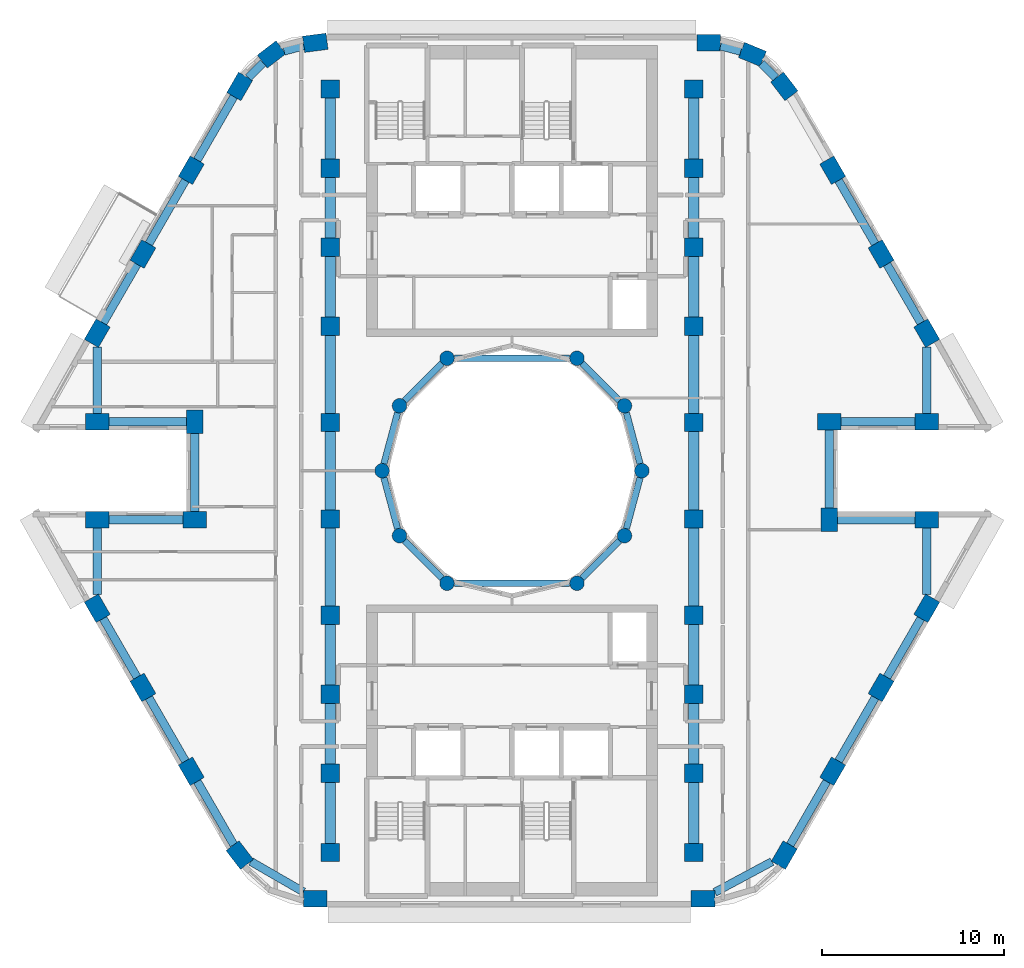
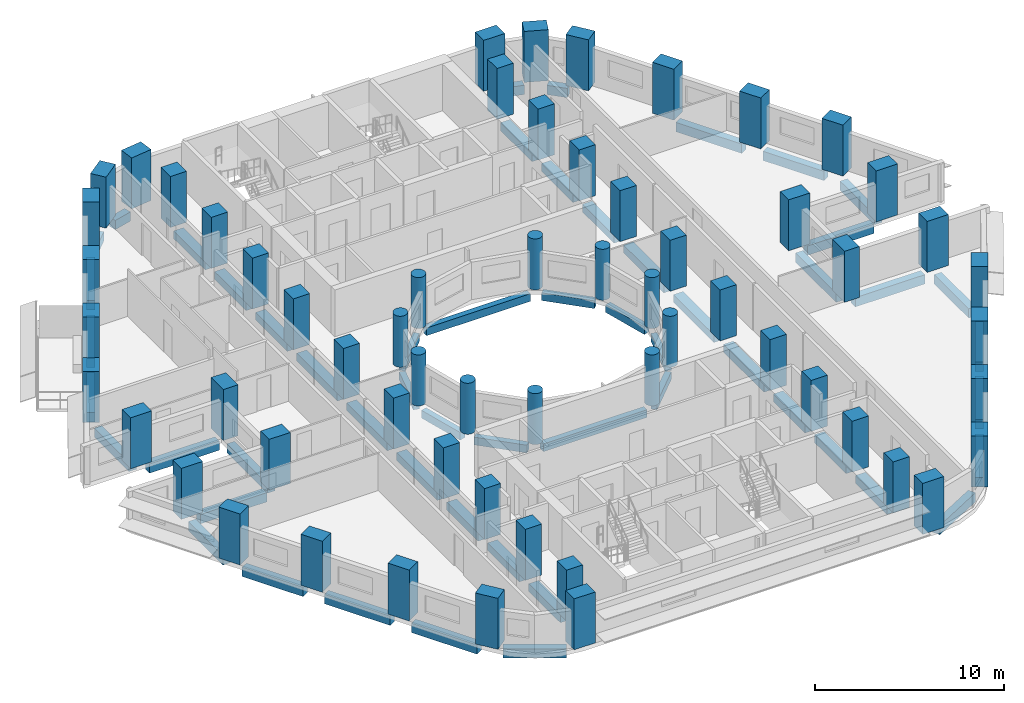
# One storey, part 1 of 13: 60 columns, 55 beams.
"""IFC4 building model written with IfcOpenShell, lengths in metres."""

from ifc_helpers import new_model, si_unit, direction, frame, origin, origin_2d, place, context, subcontext, project, spatial, rectangle, circle, extrude, material, material_profile, profile_set, type_object, element, save


model = new_model("IFC4")

# Units and contexts
model_context = context("Model", 3, precision=1e-05, world=origin(), true_north=direction((0.0, 1.0)))
body_context = subcontext(model_context, "Body", "Model", "MODEL_VIEW")
ifc_project = project(units=[si_unit("LENGTHUNIT", "METRE"), si_unit("AREAUNIT", "SQUARE_METRE"), si_unit("VOLUMEUNIT", "CUBIC_METRE"), si_unit("PLANEANGLEUNIT", "RADIAN"), si_unit("MASSUNIT", "GRAM", prefix="KILO")], contexts=[model_context])

# Site, building, storey
site_placement = place(None, origin())
site = spatial("IfcSite", under=ifc_project, at=site_placement, CompositionType="ELEMENT")
building_placement = place(site_placement, origin())
building = spatial("IfcBuilding", under=site, at=building_placement, Name="Nakaniwa Court", CompositionType="ELEMENT")
storey_placement = place(building_placement, frame((0.0, 0.0, 137.10009765625)))
storey = spatial("IfcBuildingStorey", under=building, at=storey_placement, Name="L35", CompositionType="ELEMENT", Elevation=137.10009765625)

# Columns
ifc_material = material(Name="Concrete C80/100", Category="concrete")
ifc_material_profile_1 = material_profile(ifc_material, rectangle(XDim=1.0, YDim=1.0, at=origin_2d()), Name="Concrete C80/100 RC 1000x1000 spine column")
ifc_profile_set_1 = profile_set([ifc_material_profile_1], Name="Concrete C80/100")
column_type_1 = type_object("IfcColumnType", Name="Concrete C80/100 RC 1000x1000 spine column", PredefinedType="COLUMN", material=ifc_profile_set_1)
for number, where, z_axis, x_axis, name in (
    (1, (90.0, 59.0, 0.0), (0.0, 0.0, 1.0), (0.0, 1.0, 0.0), "COLUMN CS-01"),
    (2, (90.0, 63.35009765625, 0.0), (0.0, 0.0, 1.0), (0.0, 1.0, 0.0), "COLUMN CS-02"),
    (3, (90.0, 67.699951171875, 0.0), (0.0, 0.0, 1.0), (0.0, 1.0, 0.0), "COLUMN CS-03"),
    (4, (90.0, 72.050048828125, 0.0), (0.0, 0.0, 1.0), (0.0, 1.0, 0.0), "COLUMN CS-04"),
    (5, (90.0, 77.35009765625, 0.0), (0.0, 0.0, 1.0), (0.0, 1.0, 0.0), "COLUMN CS-05"),
    (6, (90.0, 82.64990234375, 0.0), (0.0, 0.0, 1.0), (0.0, 1.0, 0.0), "COLUMN CS-06"),
    (7, (90.0, 87.949951171875, 0.0), (0.0, 0.0, 1.0), (0.0, 1.0, 0.0), "COLUMN CS-07"),
    (8, (90.0, 92.300048828125, 0.0), (0.0, 0.0, 1.0), (0.0, 1.0, 0.0), "COLUMN CS-08"),
    (9, (90.0, 96.64990234375, 0.0), (0.0, 0.0, 1.0), (0.0, 1.0, 0.0), "COLUMN CS-09"),
    (10, (90.0, 101.0, 0.0), (0.0, 0.0, 1.0), (0.0, 1.0, 0.0), "COLUMN CS-10"),
    (11, (70.0, 101.0, 0.0), (0.0, 0.0, 1.0), (0.0, -1.0, 0.0), "COLUMN CS-11"),
    (12, (70.0, 96.64990234375, 0.0), (0.0, 0.0, 1.0), (0.0, -1.0, 0.0), "COLUMN CS-12"),
    (13, (70.0, 92.300048828125, 0.0), (0.0, 0.0, 1.0), (0.0, -1.0, 0.0), "COLUMN CS-13"),
    (14, (70.0, 87.949951171875, 0.0), (0.0, 0.0, 1.0), (0.0, -1.0, 0.0), "COLUMN CS-14"),
    (15, (70.0, 82.64990234375, 0.0), (0.0, 0.0, 1.0), (0.0, -1.0, 0.0), "COLUMN CS-15"),
    (16, (70.0, 77.35009765625, 0.0), (0.0, 0.0, 1.0), (0.0, -1.0, 0.0), "COLUMN CS-16"),
    (17, (70.0, 72.050048828125, 0.0), (0.0, 0.0, 1.0), (0.0, -1.0, 0.0), "COLUMN CS-17"),
    (18, (70.0, 67.699951171875, 0.0), (0.0, 0.0, 1.0), (0.0, -1.0, 0.0), "COLUMN CS-18"),
    (19, (70.0, 63.35009765625, 0.0), (0.0, 0.0, 1.0), (0.0, -1.0, 0.0), "COLUMN CS-19"),
    (20, (70.0, 59.0, 0.0), (0.0, 0.0, 1.0), (0.0, -1.0, 0.0), "COLUMN CS-20"),
):
    element("IfcColumn", number, at=place(storey_placement, frame(where, z_axis=z_axis, x_axis=x_axis)), inside=storey, type_object=column_type_1, Name=name, PredefinedType="COLUMN", context=body_context, shape_type="SweptSolid", body=[
        extrude(rectangle(XDim=1.0, YDim=1.0, at=origin_2d()), origin(), (0.0, 0.0, 1.0), 3.2998046875),
    ])
ifc_material_profile_2 = material_profile(ifc_material, rectangle(XDim=1.300048828125, YDim=0.89990234375, at=origin_2d()), Name="Concrete C80/100 RC 1300x900 perimeter column")
ifc_profile_set_2 = profile_set([ifc_material_profile_2], Name="Concrete C80/100")
column_type_2 = type_object("IfcColumnType", Name="Concrete C80/100 RC 1300x900 perimeter column", PredefinedType="COLUMN", material=ifc_profile_set_2)
for number, where, z_axis, x_axis, name in (
    (21, (69.17529296875, 103.550048828125, 0.0), (0.0, 0.0, 1.0), (-0.991442583111, -0.130543496177, 0.0), "COLUMN CO-01"),
    (22, (66.772705078125, 102.91015625, 0.0), (0.0, 0.0, 1.0), (-0.793363965062, -0.608747582288, 0.0), "COLUMN CO-02"),
    (23, (65.017578125, 101.1494140625, 0.0), (0.0, 0.0, 1.0), (-0.5, -0.866025403784, 0.0), "COLUMN CO-03"),
    (24, (62.3544921875, 96.537109375, 0.0), (0.0, 0.0, 1.0), (-0.5, -0.866025403784, 0.0), "COLUMN CO-04"),
    (25, (59.691650390625, 91.9248046875, 0.0), (0.0, 0.0, 1.0), (-0.5, -0.866025403784, 0.0), "COLUMN CO-05"),
    (26, (57.177001953125, 87.569580078125, 0.0), (0.0, 0.0, 1.0), (-0.5, -0.866025403784, 0.0), "COLUMN CO-06"),
    (27, (57.177001953125, 82.699951171875, 0.0), (0.0, 0.0, 1.0), (1.0, 0.0, 0.0), "COLUMN CO-08"),
    (28, (62.54150390625, 82.699951171875, 0.0), (0.0, 0.0, 1.0), (0.0, -1.0, 0.0), "COLUMN CO-09"),
    (29, (62.54150390625, 77.300048828125, 0.0), (0.0, 0.0, 1.0), (-1.0, 0.0, 0.0), "COLUMN CO-10"),
    (30, (57.177001953125, 77.300048828125, 0.0), (0.0, 0.0, 1.0), (-1.0, 0.0, 0.0), "COLUMN CO-11"),
    (31, (57.177001953125, 72.430419921875, 0.0), (0.0, 0.0, 1.0), (0.5, -0.866025403784, 0.0), "COLUMN CO-13"),
    (32, (59.691650390625, 68.0751953125, 0.0), (0.0, 0.0, 1.0), (0.5, -0.866025403784, 0.0), "COLUMN CO-14"),
    (33, (62.3544921875, 63.462890625, 0.0), (0.0, 0.0, 1.0), (0.5, -0.866025403784, 0.0), "COLUMN CO-15"),
    (34, (65.017578125, 58.8505859375, 0.0), (0.0, 0.0, 1.0), (0.608761429009, -0.793353340291, 0.0), "COLUMN CO-16"),
    (35, (69.17529296875, 56.449951171875, 0.0), (0.0, 0.0, 1.0), (1.0, 0.0, 0.0), "COLUMN CO-17"),
    (36, (90.507080078125, 56.449951171875, 0.0), (0.0, 0.0, 1.0), (1.0, 0.0, 0.0), "COLUMN CO-21"),
    (37, (94.982421875, 58.8505859375, 0.0), (0.0, 0.0, 1.0), (0.5, 0.866025403784, 0.0), "COLUMN CO-22"),
    (38, (97.6455078125, 63.462890625, 0.0), (0.0, 0.0, 1.0), (0.5, 0.866025403784, 0.0), "COLUMN CO-23"),
    (39, (100.308349609375, 68.0751953125, 0.0), (0.0, 0.0, 1.0), (0.5, 0.866025403784, 0.0), "COLUMN CO-24"),
    (40, (102.822998046875, 72.430419921875, 0.0), (0.0, 0.0, 1.0), (0.5, 0.866025403784, 0.0), "COLUMN CO-25"),
    (41, (102.822998046875, 77.300048828125, 0.0), (0.0, 0.0, 1.0), (-1.0, 0.0, 0.0), "COLUMN CO-27"),
    (42, (97.45849609375, 77.300048828125, 0.0), (0.0, 0.0, 1.0), (0.0, 1.0, 0.0), "COLUMN CO-28"),
    (43, (97.45849609375, 82.699951171875, 0.0), (0.0, 0.0, 1.0), (1.0, 0.0, 0.0), "COLUMN CO-29"),
    (44, (102.822998046875, 82.699951171875, 0.0), (0.0, 0.0, 1.0), (1.0, 0.0, 0.0), "COLUMN CO-30"),
    (45, (102.822998046875, 87.569580078125, 0.0), (0.0, 0.0, 1.0), (-0.5, 0.866025403784, 0.0), "COLUMN CO-32"),
    (46, (100.308349609375, 91.9248046875, 0.0), (0.0, 0.0, 1.0), (-0.5, 0.866025403784, 0.0), "COLUMN CO-33"),
    (47, (97.6455078125, 96.537109375, 0.0), (0.0, 0.0, 1.0), (-0.5, 0.866025403784, 0.0), "COLUMN CO-34"),
    (48, (94.982421875, 101.1494140625, 0.0), (0.0, 0.0, 1.0), (-0.608761429009, 0.793353340291, 0.0), "COLUMN CO-35"),
    (49, (93.227294921875, 102.91015625, 0.0), (0.0, 0.0, 1.0), (-0.923879532511, 0.382683432365, 0.0), "COLUMN CO-36"),
    (50, (90.82470703125, 103.550048828125, 0.0), (0.0, 0.0, 1.0), (-1.0, 0.0, 0.0), "COLUMN CO-37"),
):
    element("IfcColumn", number, at=place(storey_placement, frame(where, z_axis=z_axis, x_axis=x_axis)), inside=storey, type_object=column_type_2, Name=name, PredefinedType="COLUMN", context=body_context, shape_type="SweptSolid", body=[
        extrude(rectangle(XDim=1.300048828125, YDim=0.89990234375, at=origin_2d()), origin(), (0.0, 0.0, 1.0), 3.2998046875),
    ])
ifc_material_profile_3 = material_profile(ifc_material, circle(Radius=0.39990234375, at=origin_2d()), Name="Concrete C80/100 RC D800 inner ring column")
ifc_profile_set_3 = profile_set([ifc_material_profile_3], Name="Concrete C80/100")
column_type_3 = type_object("IfcColumnType", Name="Concrete C80/100 RC D800 inner ring column", PredefinedType="COLUMN", material=ifc_profile_set_3)
for number, where, z_axis, x_axis, name in (
    (51, (87.14990234375, 80.0, 0.0), (0.0, 0.0, 1.0), (0.0, 1.0, 0.0), "COLUMN CI-01"),
    (52, (86.192138671875, 83.574951171875, 0.0), (0.0, 0.0, 1.0), (-0.5, 0.866025403784, 0.0), "COLUMN CI-02"),
    (53, (83.574951171875, 86.192138671875, 0.0), (0.0, 0.0, 1.0), (-0.866025403784, 0.5, 0.0), "COLUMN CI-03"),
    (54, (76.425048828125, 86.192138671875, 0.0), (0.0, 0.0, 1.0), (-0.866025403784, -0.5, 0.0), "COLUMN CI-05"),
    (55, (73.807861328125, 83.574951171875, 0.0), (0.0, 0.0, 1.0), (-0.5, -0.866025403784, 0.0), "COLUMN CI-06"),
    (56, (72.85009765625, 80.0, 0.0), (0.0, 0.0, 1.0), (0.0, -1.0, 0.0), "COLUMN CI-07"),
    (57, (73.807861328125, 76.425048828125, 0.0), (0.0, 0.0, 1.0), (0.5, -0.866025403784, 0.0), "COLUMN CI-08"),
    (58, (76.425048828125, 73.807861328125, 0.0), (0.0, 0.0, 1.0), (0.866025403784, -0.5, 0.0), "COLUMN CI-09"),
    (59, (83.574951171875, 73.807861328125, 0.0), (0.0, 0.0, 1.0), (0.866025403784, 0.5, 0.0), "COLUMN CI-11"),
    (60, (86.192138671875, 76.425048828125, 0.0), (0.0, 0.0, 1.0), (0.5, 0.866025403784, 0.0), "COLUMN CI-12"),
):
    element("IfcColumn", number, at=place(storey_placement, frame(where, z_axis=z_axis, x_axis=x_axis)), inside=storey, type_object=column_type_3, Name=name, PredefinedType="COLUMN", context=body_context, shape_type="SweptSolid", body=[
        extrude(circle(Radius=0.39990234375, at=origin_2d()), origin(), (0.0, 0.0, 1.0), 3.2998046875),
    ])

# Beams
ifc_material_profile_4 = material_profile(ifc_material, rectangle(XDim=0.35009765625, YDim=0.5, at=origin_2d()), Name="Concrete C80/100 RC 350x500 ring beam")
ifc_profile_set_4 = profile_set([ifc_material_profile_4], Name="Concrete C80/100")
beam_type_1 = type_object("IfcBeamType", Name="Concrete C80/100 RC 350x500 ring beam", PredefinedType="BEAM", material=ifc_profile_set_4)
beam_1_placement = place(storey_placement, frame((87.04638671875, 80.386474609375, -0.525146484375), z_axis=(-0.258778150207, 0.965936783115, 0.0), x_axis=(-0.965936783115, -0.258778150207, 0.0)))
element("IfcBeam", 61, at=beam_1_placement, inside=storey, type_object=beam_type_1, Name="RING BEAM", PredefinedType="BEAM", context=body_context, shape_type="SweptSolid", body=[
    extrude(rectangle(XDim=0.35009765625, YDim=0.5, at=origin_2d()), origin(), (0.0, 0.0, 1.0), 2.901123046875),
])
beam_2_placement = place(storey_placement, frame((85.9091796875, 83.85791015625, -0.525146484375), z_axis=(-0.707106781187, 0.707106781187, 0.0), x_axis=(-0.707106781187, -0.707106781187, 0.0)))
element("IfcBeam", 62, at=beam_2_placement, inside=storey, type_object=beam_type_1, Name="RING BEAM", PredefinedType="BEAM", context=body_context, shape_type="SweptSolid", body=[
    extrude(rectangle(XDim=0.35009765625, YDim=0.5, at=origin_2d()), origin(), (0.0, 0.0, 1.0), 2.90087890625),
])
beam_3_placement = place(storey_placement, frame((83.175048828125, 86.192138671875, -0.525146484375), z_axis=(-1.0, 0.0, 0.0), x_axis=(0.0, -1.0, 0.0)))
element("IfcBeam", 63, at=beam_3_placement, inside=storey, type_object=beam_type_1, Name="RING BEAM", PredefinedType="BEAM", context=body_context, shape_type="SweptSolid", body=[
    extrude(rectangle(XDim=0.35009765625, YDim=0.5, at=origin_2d()), origin(), (0.0, 0.0, 1.0), 6.35009765625),
])
beam_4_placement = place(storey_placement, frame((76.14208984375, 85.9091796875, -0.525146484375), z_axis=(-0.707106781187, -0.707106781187, 0.0), x_axis=(0.707106781187, -0.707106781187, 0.0)))
element("IfcBeam", 64, at=beam_4_placement, inside=storey, type_object=beam_type_1, Name="RING BEAM", PredefinedType="BEAM", context=body_context, shape_type="SweptSolid", body=[
    extrude(rectangle(XDim=0.35009765625, YDim=0.5, at=origin_2d()), origin(), (0.0, 0.0, 1.0), 2.90087890625),
])
for number, where, z_axis, x_axis, name in (
    (65, (73.704345703125, 83.188720703125, -0.525146484375), (-0.258778150207, -0.965936783115, 0.0), (0.965936783115, -0.258778150207, 0.0), "RING BEAM"),
    (66, (72.95361328125, 79.613525390625, -0.525146484375), (0.258778150207, -0.965936783115, 0.0), (0.965936783115, 0.258778150207, 0.0), "RING BEAM"),
):
    element("IfcBeam", number, at=place(storey_placement, frame(where, z_axis=z_axis, x_axis=x_axis)), inside=storey, type_object=beam_type_1, Name=name, PredefinedType="BEAM", context=body_context, shape_type="SweptSolid", body=[
        extrude(rectangle(XDim=0.35009765625, YDim=0.5, at=origin_2d()), origin(), (0.0, 0.0, 1.0), 2.901123046875),
    ])
beam_5_placement = place(storey_placement, frame((74.0908203125, 76.14208984375, -0.525146484375), z_axis=(0.707106781187, -0.707106781187, 0.0), x_axis=(0.707106781187, 0.707106781187, 0.0)))
element("IfcBeam", 67, at=beam_5_placement, inside=storey, type_object=beam_type_1, Name="RING BEAM", PredefinedType="BEAM", context=body_context, shape_type="SweptSolid", body=[
    extrude(rectangle(XDim=0.35009765625, YDim=0.5, at=origin_2d()), origin(), (0.0, 0.0, 1.0), 2.90087890625),
])
beam_6_placement = place(storey_placement, frame((76.824951171875, 73.807861328125, -0.525146484375), z_axis=(1.0, 0.0, 0.0), x_axis=(0.0, 1.0, 0.0)))
element("IfcBeam", 68, at=beam_6_placement, inside=storey, type_object=beam_type_1, Name="RING BEAM", PredefinedType="BEAM", context=body_context, shape_type="SweptSolid", body=[
    extrude(rectangle(XDim=0.35009765625, YDim=0.5, at=origin_2d()), origin(), (0.0, 0.0, 1.0), 6.35009765625),
])
beam_7_placement = place(storey_placement, frame((83.85791015625, 74.0908203125, -0.525146484375), z_axis=(0.707106781187, 0.707106781187, 0.0), x_axis=(-0.707106781187, 0.707106781187, 0.0)))
element("IfcBeam", 69, at=beam_7_placement, inside=storey, type_object=beam_type_1, Name="RING BEAM", PredefinedType="BEAM", context=body_context, shape_type="SweptSolid", body=[
    extrude(rectangle(XDim=0.35009765625, YDim=0.5, at=origin_2d()), origin(), (0.0, 0.0, 1.0), 2.90087890625),
])
beam_8_placement = place(storey_placement, frame((86.295654296875, 76.811279296875, -0.525146484375), z_axis=(0.258778150207, 0.965936783115, 0.0), x_axis=(-0.965936783115, 0.258778150207, 0.0)))
element("IfcBeam", 70, at=beam_8_placement, inside=storey, type_object=beam_type_1, Name="RING BEAM", PredefinedType="BEAM", context=body_context, shape_type="SweptSolid", body=[
    extrude(rectangle(XDim=0.35009765625, YDim=0.5, at=origin_2d()), origin(), (0.0, 0.0, 1.0), 2.901123046875),
])
ifc_material_profile_5 = material_profile(ifc_material, rectangle(XDim=0.449951171875, YDim=0.60009765625, at=origin_2d()), Name="Concrete C80/100 RC 450x600 spandrel beam")
ifc_profile_set_5 = profile_set([ifc_material_profile_5], Name="Concrete C80/100")
beam_type_2 = type_object("IfcBeamType", Name="Concrete C80/100 RC 450x600 spandrel beam", PredefinedType="BEAM", material=ifc_profile_set_5)
beam_9_placement = place(storey_placement, frame((68.5419921875, 103.38134765625, -0.5751953125), z_axis=(-0.966321172043, -0.257339061284, 0.0), x_axis=(0.257339061284, -0.966321172043, 0.0)))
element("IfcBeam", 71, at=beam_9_placement, inside=storey, type_object=beam_type_2, Name="SPANDREL BEAM", PredefinedType="BEAM", context=body_context, shape_type="SweptSolid", body=[
    extrude(rectangle(XDim=0.449951171875, YDim=0.60009765625, at=origin_2d()), origin(), (0.0, 0.0, 1.0), 1.126953125),
])
beam_10_placement = place(storey_placement, frame((66.309814453125, 102.44580078125, -0.5751953125), z_axis=(-0.706051557188, -0.708160432807, 0.0), x_axis=(0.708160432807, -0.706051557188, 0.0)))
element("IfcBeam", 72, at=beam_10_placement, inside=storey, type_object=beam_type_2, Name="SPANDREL BEAM", PredefinedType="BEAM", context=body_context, shape_type="SweptSolid", body=[
    extrude(rectangle(XDim=0.449951171875, YDim=0.60009765625, at=origin_2d()), origin(), (0.0, 0.0, 1.0), 1.15771484375),
])
for number, where, z_axis, x_axis, name in (
    (73, (64.6923828125, 100.586669921875, -0.5751953125), (-0.499993669216, -0.866029058833, 0.0), (0.866029058833, -0.499993669216, 0.0), "SPANDREL BEAM"),
    (74, (62.029541015625, 95.97412109375, -0.5751953125), (-0.499993669216, -0.866029058833, 0.0), (0.866029058833, -0.499993669216, 0.0), "SPANDREL BEAM"),
):
    element("IfcBeam", number, at=place(storey_placement, frame(where, z_axis=z_axis, x_axis=x_axis)), inside=storey, type_object=beam_type_2, Name=name, PredefinedType="BEAM", context=body_context, shape_type="SweptSolid", body=[
        extrude(rectangle(XDim=0.449951171875, YDim=0.60009765625, at=origin_2d()), origin(), (0.0, 0.0, 1.0), 4.02587890625),
    ])
beam_11_placement = place(storey_placement, frame((59.36669921875, 91.36181640625, -0.5751953125), z_axis=(-0.50001905207, -0.866014403787, 0.0), x_axis=(0.866014403787, -0.50001905207, 0.0)))
element("IfcBeam", 75, at=beam_11_placement, inside=storey, type_object=beam_type_2, Name="SPANDREL BEAM", PredefinedType="BEAM", context=body_context, shape_type="SweptSolid", body=[
    extrude(rectangle(XDim=0.449951171875, YDim=0.60009765625, at=origin_2d()), origin(), (0.0, 0.0, 1.0), 3.728759765625),
])
beam_12_placement = place(storey_placement, frame((57.177001953125, 86.819091796875, -0.5751953125), z_axis=(0.0, -1.0, 0.0), x_axis=(1.0, 0.0, 0.0)))
element("IfcBeam", 76, at=beam_12_placement, inside=storey, type_object=beam_type_2, Name="SPANDREL BEAM", PredefinedType="BEAM", context=body_context, shape_type="SweptSolid", body=[
    extrude(rectangle(XDim=0.449951171875, YDim=0.60009765625, at=origin_2d()), origin(), (0.0, 0.0, 1.0), 3.669189453125),
])
beam_13_placement = place(storey_placement, frame((57.8271484375, 82.699951171875, -0.5751953125), z_axis=(1.0, 0.0, 0.0), x_axis=(0.0, 1.0, 0.0)))
element("IfcBeam", 77, at=beam_13_placement, inside=storey, type_object=beam_type_2, Name="SPANDREL BEAM", PredefinedType="BEAM", context=body_context, shape_type="SweptSolid", body=[
    extrude(rectangle(XDim=0.449951171875, YDim=0.60009765625, at=origin_2d()), origin(), (0.0, 0.0, 1.0), 4.264404296875),
])
beam_14_placement = place(storey_placement, frame((62.54150390625, 82.050048828125, -0.5751953125), z_axis=(0.0, -1.0, 0.0), x_axis=(1.0, 0.0, 0.0)))
element("IfcBeam", 78, at=beam_14_placement, inside=storey, type_object=beam_type_2, Name="SPANDREL BEAM", PredefinedType="BEAM", context=body_context, shape_type="SweptSolid", body=[
    extrude(rectangle(XDim=0.449951171875, YDim=0.60009765625, at=origin_2d()), origin(), (0.0, 0.0, 1.0), 4.300048828125),
])
beam_15_placement = place(storey_placement, frame((61.8916015625, 77.300048828125, -0.5751953125), z_axis=(-1.0, 0.0, 0.0), x_axis=(0.0, -1.0, 0.0)))
element("IfcBeam", 79, at=beam_15_placement, inside=storey, type_object=beam_type_2, Name="SPANDREL BEAM", PredefinedType="BEAM", context=body_context, shape_type="SweptSolid", body=[
    extrude(rectangle(XDim=0.449951171875, YDim=0.60009765625, at=origin_2d()), origin(), (0.0, 0.0, 1.0), 4.064453125),
])
beam_16_placement = place(storey_placement, frame((57.177001953125, 76.85009765625, -0.5751953125), z_axis=(0.0, -1.0, 0.0), x_axis=(1.0, 0.0, 0.0)))
element("IfcBeam", 80, at=beam_16_placement, inside=storey, type_object=beam_type_2, Name="SPANDREL BEAM", PredefinedType="BEAM", context=body_context, shape_type="SweptSolid", body=[
    extrude(rectangle(XDim=0.449951171875, YDim=0.60009765625, at=origin_2d()), origin(), (0.0, 0.0, 1.0), 3.669189453125),
])
beam_17_placement = place(storey_placement, frame((57.502197265625, 71.867431640625, -0.5751953125), z_axis=(0.50001905207, -0.866014403787, 0.0), x_axis=(0.866014403787, 0.50001905207, 0.0)))
element("IfcBeam", 81, at=beam_17_placement, inside=storey, type_object=beam_type_2, Name="SPANDREL BEAM", PredefinedType="BEAM", context=body_context, shape_type="SweptSolid", body=[
    extrude(rectangle(XDim=0.449951171875, YDim=0.60009765625, at=origin_2d()), origin(), (0.0, 0.0, 1.0), 3.728759765625),
])
beam_18_placement = place(storey_placement, frame((60.0166015625, 67.512451171875, -0.5751953125), z_axis=(0.499993669216, -0.866029058833, 0.0), x_axis=(0.866029058833, 0.499993669216, 0.0)))
element("IfcBeam", 82, at=beam_18_placement, inside=storey, type_object=beam_type_2, Name="SPANDREL BEAM", PredefinedType="BEAM", context=body_context, shape_type="SweptSolid", body=[
    extrude(rectangle(XDim=0.449951171875, YDim=0.60009765625, at=origin_2d()), origin(), (0.0, 0.0, 1.0), 4.02587890625),
])
beam_19_placement = place(storey_placement, frame((62.679443359375, 62.89990234375, -0.5751953125), z_axis=(0.500018573463, -0.866014680125, 0.0), x_axis=(0.866014680125, 0.500018573463, 0.0)))
element("IfcBeam", 83, at=beam_19_placement, inside=storey, type_object=beam_type_2, Name="SPANDREL BEAM", PredefinedType="BEAM", context=body_context, shape_type="SweptSolid", body=[
    extrude(rectangle(XDim=0.449951171875, YDim=0.60009765625, at=origin_2d()), origin(), (0.0, 0.0, 1.0), 4.020263671875),
])
beam_20_placement = place(storey_placement, frame((65.626708984375, 58.498779296875, -0.5751953125), z_axis=(0.866021605644, -0.500006578514, 0.0), x_axis=(0.500006578514, 0.866021605644, 0.0)))
element("IfcBeam", 84, at=beam_20_placement, inside=storey, type_object=beam_type_2, Name="SPANDREL BEAM", PredefinedType="BEAM", context=body_context, shape_type="SweptSolid", body=[
    extrude(rectangle(XDim=0.449951171875, YDim=0.60009765625, at=origin_2d()), origin(), (0.0, 0.0, 1.0), 3.34716796875),
])
beam_21_placement = place(storey_placement, frame((91.156982421875, 56.798583984375, -0.5751953125), z_axis=(0.881239336512, 0.472670320397, 0.0), x_axis=(-0.472670320397, 0.881239336512, 0.0)))
element("IfcBeam", 85, at=beam_21_placement, inside=storey, type_object=beam_type_2, Name="SPANDREL BEAM", PredefinedType="BEAM", context=body_context, shape_type="SweptSolid", body=[
    extrude(rectangle(XDim=0.449951171875, YDim=0.60009765625, at=origin_2d()), origin(), (0.0, 0.0, 1.0), 3.576416015625),
])
for number, where, z_axis, x_axis, name in (
    (86, (95.3076171875, 59.413330078125, -0.5751953125), (0.499993669216, 0.866029058833, 0.0), (-0.866029058833, 0.499993669216, 0.0), "SPANDREL BEAM"),
    (87, (97.970458984375, 64.02587890625, -0.5751953125), (0.499993669216, 0.866029058833, 0.0), (-0.866029058833, 0.499993669216, 0.0), "SPANDREL BEAM"),
):
    element("IfcBeam", number, at=place(storey_placement, frame(where, z_axis=z_axis, x_axis=x_axis)), inside=storey, type_object=beam_type_2, Name=name, PredefinedType="BEAM", context=body_context, shape_type="SweptSolid", body=[
        extrude(rectangle(XDim=0.449951171875, YDim=0.60009765625, at=origin_2d()), origin(), (0.0, 0.0, 1.0), 4.02587890625),
    ])
beam_22_placement = place(storey_placement, frame((100.63330078125, 68.63818359375, -0.5751953125), z_axis=(0.50001905207, 0.866014403787, 0.0), x_axis=(-0.866014403787, 0.50001905207, 0.0)))
element("IfcBeam", 88, at=beam_22_placement, inside=storey, type_object=beam_type_2, Name="SPANDREL BEAM", PredefinedType="BEAM", context=body_context, shape_type="SweptSolid", body=[
    extrude(rectangle(XDim=0.449951171875, YDim=0.60009765625, at=origin_2d()), origin(), (0.0, 0.0, 1.0), 3.728759765625),
])
beam_23_placement = place(storey_placement, frame((102.822998046875, 73.180908203125, -0.5751953125), z_axis=(0.0, 1.0, 0.0), x_axis=(-1.0, 0.0, 0.0)))
element("IfcBeam", 89, at=beam_23_placement, inside=storey, type_object=beam_type_2, Name="SPANDREL BEAM", PredefinedType="BEAM", context=body_context, shape_type="SweptSolid", body=[
    extrude(rectangle(XDim=0.449951171875, YDim=0.60009765625, at=origin_2d()), origin(), (0.0, 0.0, 1.0), 3.669189453125),
])
beam_24_placement = place(storey_placement, frame((102.1728515625, 77.300048828125, -0.5751953125), z_axis=(-1.0, 0.0, 0.0), x_axis=(0.0, -1.0, 0.0)))
element("IfcBeam", 90, at=beam_24_placement, inside=storey, type_object=beam_type_2, Name="SPANDREL BEAM", PredefinedType="BEAM", context=body_context, shape_type="SweptSolid", body=[
    extrude(rectangle(XDim=0.449951171875, YDim=0.60009765625, at=origin_2d()), origin(), (0.0, 0.0, 1.0), 4.264404296875),
])
beam_25_placement = place(storey_placement, frame((97.45849609375, 77.949951171875, -0.5751953125), z_axis=(0.0, 1.0, 0.0), x_axis=(-1.0, 0.0, 0.0)))
element("IfcBeam", 91, at=beam_25_placement, inside=storey, type_object=beam_type_2, Name="SPANDREL BEAM", PredefinedType="BEAM", context=body_context, shape_type="SweptSolid", body=[
    extrude(rectangle(XDim=0.449951171875, YDim=0.60009765625, at=origin_2d()), origin(), (0.0, 0.0, 1.0), 4.300048828125),
])
beam_26_placement = place(storey_placement, frame((98.1083984375, 82.699951171875, -0.5751953125), z_axis=(1.0, 0.0, 0.0), x_axis=(0.0, 1.0, 0.0)))
element("IfcBeam", 92, at=beam_26_placement, inside=storey, type_object=beam_type_2, Name="SPANDREL BEAM", PredefinedType="BEAM", context=body_context, shape_type="SweptSolid", body=[
    extrude(rectangle(XDim=0.449951171875, YDim=0.60009765625, at=origin_2d()), origin(), (0.0, 0.0, 1.0), 4.064453125),
])
beam_27_placement = place(storey_placement, frame((102.822998046875, 83.14990234375, -0.5751953125), z_axis=(0.0, 1.0, 0.0), x_axis=(-1.0, 0.0, 0.0)))
element("IfcBeam", 93, at=beam_27_placement, inside=storey, type_object=beam_type_2, Name="SPANDREL BEAM", PredefinedType="BEAM", context=body_context, shape_type="SweptSolid", body=[
    extrude(rectangle(XDim=0.449951171875, YDim=0.60009765625, at=origin_2d()), origin(), (0.0, 0.0, 1.0), 3.669189453125),
])
beam_28_placement = place(storey_placement, frame((102.497802734375, 88.132568359375, -0.5751953125), z_axis=(-0.50001905207, 0.866014403787, 0.0), x_axis=(-0.866014403787, -0.50001905207, 0.0)))
element("IfcBeam", 94, at=beam_28_placement, inside=storey, type_object=beam_type_2, Name="SPANDREL BEAM", PredefinedType="BEAM", context=body_context, shape_type="SweptSolid", body=[
    extrude(rectangle(XDim=0.449951171875, YDim=0.60009765625, at=origin_2d()), origin(), (0.0, 0.0, 1.0), 3.728759765625),
])
beam_29_placement = place(storey_placement, frame((99.9833984375, 92.487548828125, -0.5751953125), z_axis=(-0.499993669216, 0.866029058833, 0.0), x_axis=(-0.866029058833, -0.499993669216, 0.0)))
element("IfcBeam", 95, at=beam_29_placement, inside=storey, type_object=beam_type_2, Name="SPANDREL BEAM", PredefinedType="BEAM", context=body_context, shape_type="SweptSolid", body=[
    extrude(rectangle(XDim=0.449951171875, YDim=0.60009765625, at=origin_2d()), origin(), (0.0, 0.0, 1.0), 4.02587890625),
])
beam_30_placement = place(storey_placement, frame((94.519775390625, 101.61376953125, -0.5751953125), z_axis=(-0.706022429805, 0.708189472254, 0.0), x_axis=(-0.708189472254, -0.706022429805, 0.0)))
element("IfcBeam", 96, at=beam_30_placement, inside=storey, type_object=beam_type_2, Name="SPANDREL BEAM", PredefinedType="BEAM", context=body_context, shape_type="SweptSolid", body=[
    extrude(rectangle(XDim=0.449951171875, YDim=0.60009765625, at=origin_2d()), origin(), (0.0, 0.0, 1.0), 1.126708984375),
])
beam_31_placement = place(storey_placement, frame((92.593505859375, 103.078857421875, -0.5751953125), z_axis=(-0.966294404875, 0.257439552335, 0.0), x_axis=(-0.257439552335, -0.966294404875, 0.0)))
element("IfcBeam", 97, at=beam_31_placement, inside=storey, type_object=beam_type_2, Name="SPANDREL BEAM", PredefinedType="BEAM", context=body_context, shape_type="SweptSolid", body=[
    extrude(rectangle(XDim=0.449951171875, YDim=0.60009765625, at=origin_2d()), origin(), (0.0, 0.0, 1.0), 1.157958984375),
])
ifc_material_profile_6 = material_profile(ifc_material, rectangle(XDim=0.60009765625, YDim=0.5, at=origin_2d()), Name="Concrete C80/100 RC 600x500 ring beam")
ifc_profile_set_6 = profile_set([ifc_material_profile_6], Name="Concrete C80/100")
beam_type_3 = type_object("IfcBeamType", Name="Concrete C80/100 RC 600x500 ring beam", PredefinedType="BEAM", material=ifc_profile_set_6)
beam_32_placement = place(storey_placement, frame((90.0, 59.5, -0.525146484375), z_axis=(0.0, 1.0, 0.0), x_axis=(-1.0, 0.0, 0.0)))
element("IfcBeam", 98, at=beam_32_placement, inside=storey, type_object=beam_type_3, Name="RING BEAM", PredefinedType="BEAM", context=body_context, shape_type="SweptSolid", body=[
    extrude(rectangle(XDim=0.60009765625, YDim=0.5, at=origin_2d()), origin(), (0.0, 0.0, 1.0), 3.35009765625),
])
beam_33_placement = place(storey_placement, frame((90.0, 63.85009765625, -0.525146484375), z_axis=(0.0, 1.0, 0.0), x_axis=(-1.0, 0.0, 0.0)))
element("IfcBeam", 99, at=beam_33_placement, inside=storey, type_object=beam_type_3, Name="RING BEAM", PredefinedType="BEAM", context=body_context, shape_type="SweptSolid", body=[
    extrude(rectangle(XDim=0.60009765625, YDim=0.5, at=origin_2d()), origin(), (0.0, 0.0, 1.0), 3.349853515625),
])
beam_34_placement = place(storey_placement, frame((90.0, 68.199951171875, -0.525146484375), z_axis=(0.0, 1.0, 0.0), x_axis=(-1.0, 0.0, 0.0)))
element("IfcBeam", 100, at=beam_34_placement, inside=storey, type_object=beam_type_3, Name="RING BEAM", PredefinedType="BEAM", context=body_context, shape_type="SweptSolid", body=[
    extrude(rectangle(XDim=0.60009765625, YDim=0.5, at=origin_2d()), origin(), (0.0, 0.0, 1.0), 3.35009765625),
])
beam_35_placement = place(storey_placement, frame((90.0, 72.550048828125, -0.525146484375), z_axis=(0.0, 1.0, 0.0), x_axis=(-1.0, 0.0, 0.0)))
element("IfcBeam", 101, at=beam_35_placement, inside=storey, type_object=beam_type_3, Name="RING BEAM", PredefinedType="BEAM", context=body_context, shape_type="SweptSolid", body=[
    extrude(rectangle(XDim=0.60009765625, YDim=0.5, at=origin_2d()), origin(), (0.0, 0.0, 1.0), 4.300048828125),
])
beam_36_placement = place(storey_placement, frame((90.0, 77.85009765625, -0.525146484375), z_axis=(0.0, 1.0, 0.0), x_axis=(-1.0, 0.0, 0.0)))
element("IfcBeam", 102, at=beam_36_placement, inside=storey, type_object=beam_type_3, Name="RING BEAM", PredefinedType="BEAM", context=body_context, shape_type="SweptSolid", body=[
    extrude(rectangle(XDim=0.60009765625, YDim=0.5, at=origin_2d()), origin(), (0.0, 0.0, 1.0), 4.2998046875),
])
beam_37_placement = place(storey_placement, frame((90.0, 83.14990234375, -0.525146484375), z_axis=(0.0, 1.0, 0.0), x_axis=(-1.0, 0.0, 0.0)))
element("IfcBeam", 103, at=beam_37_placement, inside=storey, type_object=beam_type_3, Name="RING BEAM", PredefinedType="BEAM", context=body_context, shape_type="SweptSolid", body=[
    extrude(rectangle(XDim=0.60009765625, YDim=0.5, at=origin_2d()), origin(), (0.0, 0.0, 1.0), 4.300048828125),
])
beam_38_placement = place(storey_placement, frame((90.0, 88.449951171875, -0.525146484375), z_axis=(0.0, 1.0, 0.0), x_axis=(-1.0, 0.0, 0.0)))
element("IfcBeam", 104, at=beam_38_placement, inside=storey, type_object=beam_type_3, Name="RING BEAM", PredefinedType="BEAM", context=body_context, shape_type="SweptSolid", body=[
    extrude(rectangle(XDim=0.60009765625, YDim=0.5, at=origin_2d()), origin(), (0.0, 0.0, 1.0), 3.35009765625),
])
beam_39_placement = place(storey_placement, frame((90.0, 92.800048828125, -0.525146484375), z_axis=(0.0, 1.0, 0.0), x_axis=(-1.0, 0.0, 0.0)))
element("IfcBeam", 105, at=beam_39_placement, inside=storey, type_object=beam_type_3, Name="RING BEAM", PredefinedType="BEAM", context=body_context, shape_type="SweptSolid", body=[
    extrude(rectangle(XDim=0.60009765625, YDim=0.5, at=origin_2d()), origin(), (0.0, 0.0, 1.0), 3.349853515625),
])
for number, where, z_axis, x_axis, name in (
    (106, (90.0, 97.14990234375, -0.525146484375), (0.0, 1.0, 0.0), (-1.0, 0.0, 0.0), "RING BEAM"),
    (107, (70.0, 100.5, -0.525146484375), (0.0, -1.0, 0.0), (1.0, 0.0, 0.0), "RING BEAM"),
):
    element("IfcBeam", number, at=place(storey_placement, frame(where, z_axis=z_axis, x_axis=x_axis)), inside=storey, type_object=beam_type_3, Name=name, PredefinedType="BEAM", context=body_context, shape_type="SweptSolid", body=[
        extrude(rectangle(XDim=0.60009765625, YDim=0.5, at=origin_2d()), origin(), (0.0, 0.0, 1.0), 3.35009765625),
    ])
beam_40_placement = place(storey_placement, frame((70.0, 96.14990234375, -0.525146484375), z_axis=(0.0, -1.0, 0.0), x_axis=(1.0, 0.0, 0.0)))
element("IfcBeam", 108, at=beam_40_placement, inside=storey, type_object=beam_type_3, Name="RING BEAM", PredefinedType="BEAM", context=body_context, shape_type="SweptSolid", body=[
    extrude(rectangle(XDim=0.60009765625, YDim=0.5, at=origin_2d()), origin(), (0.0, 0.0, 1.0), 3.349853515625),
])
beam_41_placement = place(storey_placement, frame((70.0, 91.800048828125, -0.525146484375), z_axis=(0.0, -1.0, 0.0), x_axis=(1.0, 0.0, 0.0)))
element("IfcBeam", 109, at=beam_41_placement, inside=storey, type_object=beam_type_3, Name="RING BEAM", PredefinedType="BEAM", context=body_context, shape_type="SweptSolid", body=[
    extrude(rectangle(XDim=0.60009765625, YDim=0.5, at=origin_2d()), origin(), (0.0, 0.0, 1.0), 3.35009765625),
])
beam_42_placement = place(storey_placement, frame((70.0, 87.449951171875, -0.525146484375), z_axis=(0.0, -1.0, 0.0), x_axis=(1.0, 0.0, 0.0)))
element("IfcBeam", 110, at=beam_42_placement, inside=storey, type_object=beam_type_3, Name="RING BEAM", PredefinedType="BEAM", context=body_context, shape_type="SweptSolid", body=[
    extrude(rectangle(XDim=0.60009765625, YDim=0.5, at=origin_2d()), origin(), (0.0, 0.0, 1.0), 4.300048828125),
])
beam_43_placement = place(storey_placement, frame((70.0, 82.14990234375, -0.525146484375), z_axis=(0.0, -1.0, 0.0), x_axis=(1.0, 0.0, 0.0)))
element("IfcBeam", 111, at=beam_43_placement, inside=storey, type_object=beam_type_3, Name="RING BEAM", PredefinedType="BEAM", context=body_context, shape_type="SweptSolid", body=[
    extrude(rectangle(XDim=0.60009765625, YDim=0.5, at=origin_2d()), origin(), (0.0, 0.0, 1.0), 4.2998046875),
])
beam_44_placement = place(storey_placement, frame((70.0, 76.85009765625, -0.525146484375), z_axis=(0.0, -1.0, 0.0), x_axis=(1.0, 0.0, 0.0)))
element("IfcBeam", 112, at=beam_44_placement, inside=storey, type_object=beam_type_3, Name="RING BEAM", PredefinedType="BEAM", context=body_context, shape_type="SweptSolid", body=[
    extrude(rectangle(XDim=0.60009765625, YDim=0.5, at=origin_2d()), origin(), (0.0, 0.0, 1.0), 4.300048828125),
])
beam_45_placement = place(storey_placement, frame((70.0, 71.550048828125, -0.525146484375), z_axis=(0.0, -1.0, 0.0), x_axis=(1.0, 0.0, 0.0)))
element("IfcBeam", 113, at=beam_45_placement, inside=storey, type_object=beam_type_3, Name="RING BEAM", PredefinedType="BEAM", context=body_context, shape_type="SweptSolid", body=[
    extrude(rectangle(XDim=0.60009765625, YDim=0.5, at=origin_2d()), origin(), (0.0, 0.0, 1.0), 3.35009765625),
])
beam_46_placement = place(storey_placement, frame((70.0, 67.199951171875, -0.525146484375), z_axis=(0.0, -1.0, 0.0), x_axis=(1.0, 0.0, 0.0)))
element("IfcBeam", 114, at=beam_46_placement, inside=storey, type_object=beam_type_3, Name="RING BEAM", PredefinedType="BEAM", context=body_context, shape_type="SweptSolid", body=[
    extrude(rectangle(XDim=0.60009765625, YDim=0.5, at=origin_2d()), origin(), (0.0, 0.0, 1.0), 3.349853515625),
])
beam_47_placement = place(storey_placement, frame((70.0, 62.85009765625, -0.525146484375), z_axis=(0.0, -1.0, 0.0), x_axis=(1.0, 0.0, 0.0)))
element("IfcBeam", 115, at=beam_47_placement, inside=storey, type_object=beam_type_3, Name="RING BEAM", PredefinedType="BEAM", context=body_context, shape_type="SweptSolid", body=[
    extrude(rectangle(XDim=0.60009765625, YDim=0.5, at=origin_2d()), origin(), (0.0, 0.0, 1.0), 3.35009765625),
])

save(model, "model.ifc")
